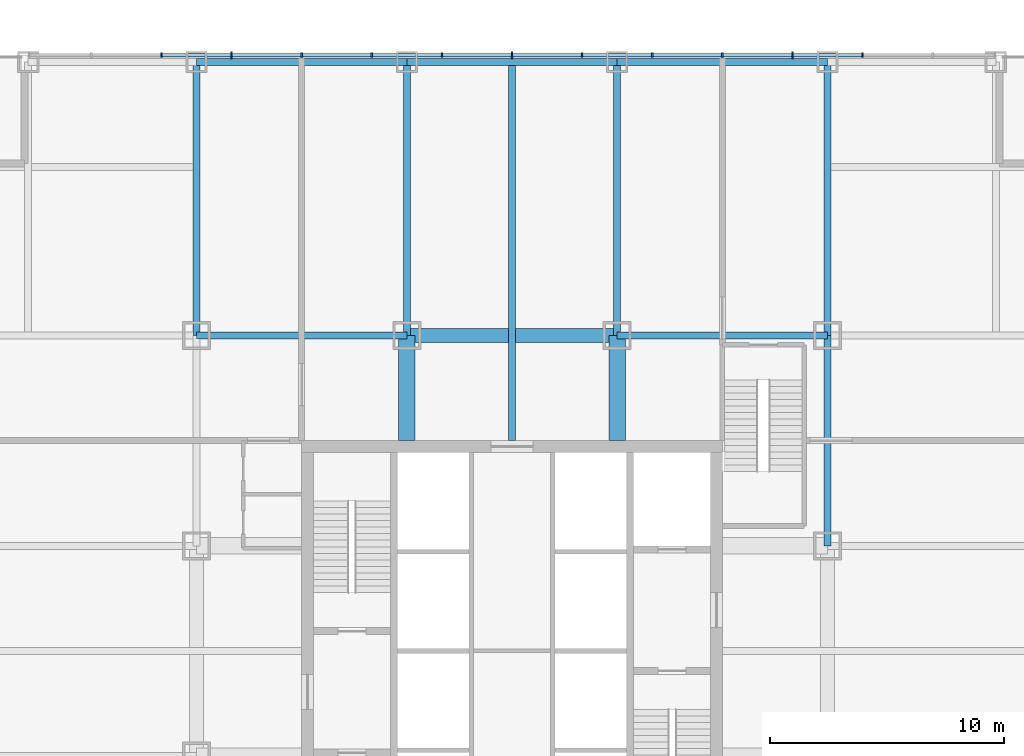
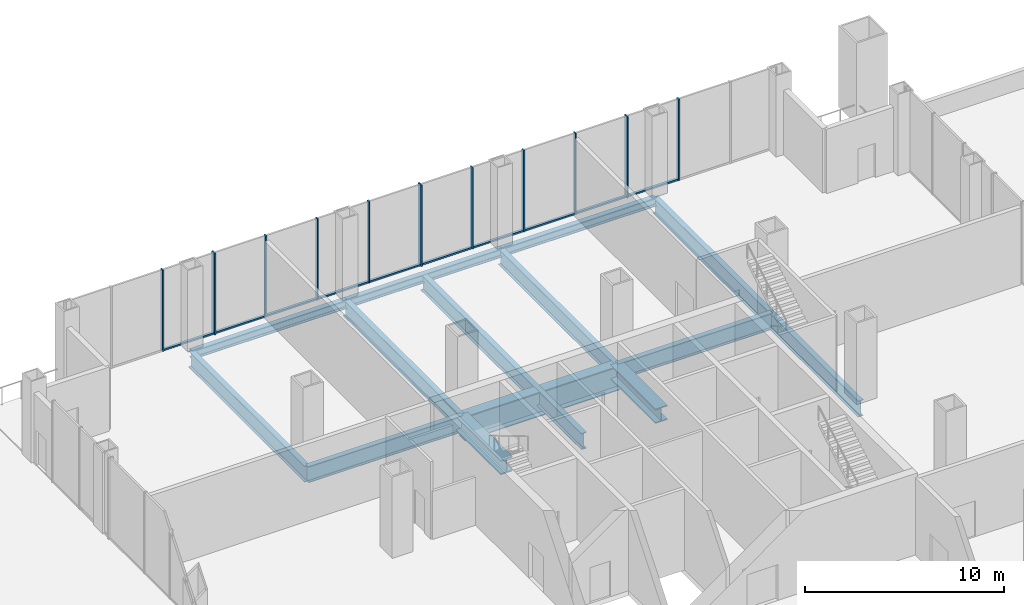
# One storey, part 7 of 16: 21 members, 14 beams, 1 element without a shape of its own.
"""IFC4 building model written with IfcOpenShell, lengths in metres."""

from ifc_helpers import new_model, si_unit, direction, frame, origin, origin_2d, place, context, subcontext, project, spatial, rectangle, i_section, extrude, material, layer, layer_set, material_profile, profile_set, type_object, element, aggregate, save


model = new_model("IFC4")

# Units and contexts
model_context = context("Model", 3, precision=1e-05, world=origin(), true_north=direction((0.0, 1.0)))
body_context = subcontext(model_context, "Body", "Model", "MODEL_VIEW")
ifc_project = project(units=[si_unit("LENGTHUNIT", "METRE"), si_unit("AREAUNIT", "SQUARE_METRE"), si_unit("VOLUMEUNIT", "CUBIC_METRE"), si_unit("PLANEANGLEUNIT", "RADIAN"), si_unit("MASSUNIT", "GRAM", prefix="KILO")], contexts=[model_context])

# Site, building, storey
site_placement = place(None, origin())
site = spatial("IfcSite", under=ifc_project, at=site_placement, CompositionType="ELEMENT")
building_placement = place(site_placement, origin())
building = spatial("IfcBuilding", under=site, at=building_placement, Name="Malebo Sky Hospital", CompositionType="ELEMENT")
storey_placement = place(building_placement, frame((0.0, 0.0, 26.0)))
storey = spatial("IfcBuildingStorey", under=building, at=storey_placement, Name="L05", CompositionType="ELEMENT", Elevation=26.0)

# Curtain wall, members
ifc_material_1 = material(Name="Anodised aluminium, natural silver", Category="aluminium")
ifc_layer = layer(ifc_material_1, 0.25)
ifc_layer_set = layer_set([ifc_layer], Name="PLANT LOUVRE SCREEN")
curtain_wall_type = type_object("IfcCurtainWallType", Name="PLANT LOUVRE SCREEN", PredefinedType="NOTDEFINED", material=ifc_layer_set)
curtain_wall_placement = place(storey_placement, origin())
curtain_wall = element("IfcCurtainWall", 1, at=curtain_wall_placement, inside=storey, type_object=curtain_wall_type, Name="PLANT curtain wall N", PredefinedType="NOTDEFINED")
ifc_material_profile_1 = material_profile(ifc_material_1, rectangle(XDim=0.14990234375, YDim=0.10009765625, at=origin_2d()), Name="ALUMINIUM TRANSOM 150x100")
ifc_profile_set_1 = profile_set([ifc_material_profile_1], Name="Anodised aluminium, natural silver")
member_type_1 = type_object("IfcMemberType", Name="ALUMINIUM TRANSOM 150x100", PredefinedType="USERDEFINED", material=ifc_profile_set_1)
member_1_placement = place(storey_placement, frame((45.03759765625, 87.5, 0.050048828125), z_axis=(1.0, 0.0, 0.0), x_axis=(0.0, 1.0, 0.0)))
member_1 = element("IfcMember", 2, at=member_1_placement, type_object=member_type_1, Name="Transom 3", ObjectType="TRANSOM", PredefinedType="USERDEFINED", context=body_context, shape_type="SweptSolid", body=[
    extrude(rectangle(XDim=0.14990234375, YDim=0.10009765625, at=origin_2d()), origin(), (0.0, 0.0, 1.0), 2.9248046875),
])
member_2_placement = place(storey_placement, frame((48.03759765625, 87.5, 0.050048828125), z_axis=(1.0, 0.0, 0.0), x_axis=(0.0, 1.0, 0.0)))
member_2 = element("IfcMember", 3, at=member_2_placement, type_object=member_type_1, Name="Transom 4", ObjectType="TRANSOM", PredefinedType="USERDEFINED", context=body_context, shape_type="SweptSolid", body=[
    extrude(rectangle(XDim=0.14990234375, YDim=0.10009765625, at=origin_2d()), origin(), (0.0, 0.0, 1.0), 2.9248046875),
])
member_3_placement = place(storey_placement, frame((51.03759765625, 87.5, 0.050048828125), z_axis=(1.0, 0.0, 0.0), x_axis=(0.0, 1.0, 0.0)))
member_3 = element("IfcMember", 4, at=member_3_placement, type_object=member_type_1, Name="Transom 5", ObjectType="TRANSOM", PredefinedType="USERDEFINED", context=body_context, shape_type="SweptSolid", body=[
    extrude(rectangle(XDim=0.14990234375, YDim=0.10009765625, at=origin_2d()), origin(), (0.0, 0.0, 1.0), 2.9248046875),
])
member_4_placement = place(storey_placement, frame((54.03759765625, 87.5, 0.050048828125), z_axis=(1.0, 0.0, 0.0), x_axis=(0.0, 1.0, 0.0)))
member_4 = element("IfcMember", 5, at=member_4_placement, type_object=member_type_1, Name="Transom 6", ObjectType="TRANSOM", PredefinedType="USERDEFINED", context=body_context, shape_type="SweptSolid", body=[
    extrude(rectangle(XDim=0.14990234375, YDim=0.10009765625, at=origin_2d()), origin(), (0.0, 0.0, 1.0), 2.9248046875),
])
member_5_placement = place(storey_placement, frame((57.03759765625, 87.5, 0.050048828125), z_axis=(1.0, 0.0, 0.0), x_axis=(0.0, 1.0, 0.0)))
member_5 = element("IfcMember", 6, at=member_5_placement, type_object=member_type_1, Name="Transom 7", ObjectType="TRANSOM", PredefinedType="USERDEFINED", context=body_context, shape_type="SweptSolid", body=[
    extrude(rectangle(XDim=0.14990234375, YDim=0.10009765625, at=origin_2d()), origin(), (0.0, 0.0, 1.0), 2.9248046875),
])
member_6_placement = place(storey_placement, frame((60.03759765625, 87.5, 0.050048828125), z_axis=(1.0, 0.0, 0.0), x_axis=(0.0, 1.0, 0.0)))
member_6 = element("IfcMember", 7, at=member_6_placement, type_object=member_type_1, Name="Transom 8", ObjectType="TRANSOM", PredefinedType="USERDEFINED", context=body_context, shape_type="SweptSolid", body=[
    extrude(rectangle(XDim=0.14990234375, YDim=0.10009765625, at=origin_2d()), origin(), (0.0, 0.0, 1.0), 2.9248046875),
])
member_7_placement = place(storey_placement, frame((63.03759765625, 87.5, 0.050048828125), z_axis=(1.0, 0.0, 0.0), x_axis=(0.0, 1.0, 0.0)))
member_7 = element("IfcMember", 8, at=member_7_placement, type_object=member_type_1, Name="Transom 9", ObjectType="TRANSOM", PredefinedType="USERDEFINED", context=body_context, shape_type="SweptSolid", body=[
    extrude(rectangle(XDim=0.14990234375, YDim=0.10009765625, at=origin_2d()), origin(), (0.0, 0.0, 1.0), 2.9248046875),
])
member_8_placement = place(storey_placement, frame((66.03759765625, 87.5, 0.050048828125), z_axis=(1.0, 0.0, 0.0), x_axis=(0.0, 1.0, 0.0)))
member_8 = element("IfcMember", 9, at=member_8_placement, type_object=member_type_1, Name="Transom 10", ObjectType="TRANSOM", PredefinedType="USERDEFINED", context=body_context, shape_type="SweptSolid", body=[
    extrude(rectangle(XDim=0.14990234375, YDim=0.10009765625, at=origin_2d()), origin(), (0.0, 0.0, 1.0), 2.9248046875),
])
member_9_placement = place(storey_placement, frame((69.03759765625, 87.5, 0.050048828125), z_axis=(1.0, 0.0, 0.0), x_axis=(0.0, 1.0, 0.0)))
member_9 = element("IfcMember", 10, at=member_9_placement, type_object=member_type_1, Name="Transom 11", ObjectType="TRANSOM", PredefinedType="USERDEFINED", context=body_context, shape_type="SweptSolid", body=[
    extrude(rectangle(XDim=0.14990234375, YDim=0.10009765625, at=origin_2d()), origin(), (0.0, 0.0, 1.0), 2.9248046875),
])
member_10_placement = place(storey_placement, frame((72.03759765625, 87.5, 0.050048828125), z_axis=(1.0, 0.0, 0.0), x_axis=(0.0, 1.0, 0.0)))
member_10 = element("IfcMember", 11, at=member_10_placement, type_object=member_type_1, Name="Transom 12", ObjectType="TRANSOM", PredefinedType="USERDEFINED", context=body_context, shape_type="SweptSolid", body=[
    extrude(rectangle(XDim=0.14990234375, YDim=0.10009765625, at=origin_2d()), origin(), (0.0, 0.0, 1.0), 2.9248046875),
])
ifc_material_profile_2 = material_profile(ifc_material_1, rectangle(XDim=0.074951171875, YDim=0.199951171875, at=origin_2d()), Name="CW5 ALUMINIUM FIN MULLION 75x200")
ifc_profile_set_2 = profile_set([ifc_material_profile_2], Name="Anodised aluminium, natural silver")
member_type_2 = type_object("IfcMemberType", Name="CW5 ALUMINIUM FIN MULLION 75x200", PredefinedType="MULLION", material=ifc_profile_set_2)
member_11_placement = place(storey_placement, frame((45.0, 87.5, 0.0), z_axis=(0.0, 0.0, 1.0), x_axis=(1.0, 0.0, 0.0)))
member_11 = element("IfcMember", 12, at=member_11_placement, type_object=member_type_2, Name="Fin mullion 3", PredefinedType="MULLION", context=body_context, shape_type="SweptSolid", body=[
    extrude(rectangle(XDim=0.074951171875, YDim=0.199951171875, at=origin_2d()), origin(), (0.0, 0.0, 1.0), 5.0),
])
member_12_placement = place(storey_placement, frame((51.0, 87.5, 0.0), z_axis=(0.0, 0.0, 1.0), x_axis=(1.0, 0.0, 0.0)))
member_12 = element("IfcMember", 13, at=member_12_placement, type_object=member_type_2, Name="Fin mullion 5", PredefinedType="MULLION", context=body_context, shape_type="SweptSolid", body=[
    extrude(rectangle(XDim=0.074951171875, YDim=0.199951171875, at=origin_2d()), origin(), (0.0, 0.0, 1.0), 5.0),
])
member_13_placement = place(storey_placement, frame((54.0, 87.5, 0.0), z_axis=(0.0, 0.0, 1.0), x_axis=(1.0, 0.0, 0.0)))
member_13 = element("IfcMember", 14, at=member_13_placement, type_object=member_type_2, Name="Fin mullion 6", PredefinedType="MULLION", context=body_context, shape_type="SweptSolid", body=[
    extrude(rectangle(XDim=0.074951171875, YDim=0.199951171875, at=origin_2d()), origin(), (0.0, 0.0, 1.0), 5.0),
])
member_14_placement = place(storey_placement, frame((57.0, 87.5, 0.0), z_axis=(0.0, 0.0, 1.0), x_axis=(1.0, 0.0, 0.0)))
member_14 = element("IfcMember", 15, at=member_14_placement, type_object=member_type_2, Name="Fin mullion 7", PredefinedType="MULLION", context=body_context, shape_type="SweptSolid", body=[
    extrude(rectangle(XDim=0.074951171875, YDim=0.199951171875, at=origin_2d()), origin(), (0.0, 0.0, 1.0), 5.0),
])
member_15_placement = place(storey_placement, frame((63.0, 87.5, 0.0), z_axis=(0.0, 0.0, 1.0), x_axis=(1.0, 0.0, 0.0)))
member_15 = element("IfcMember", 16, at=member_15_placement, type_object=member_type_2, Name="Fin mullion 9", PredefinedType="MULLION", context=body_context, shape_type="SweptSolid", body=[
    extrude(rectangle(XDim=0.074951171875, YDim=0.199951171875, at=origin_2d()), origin(), (0.0, 0.0, 1.0), 5.0),
])
member_16_placement = place(storey_placement, frame((66.0, 87.5, 0.0), z_axis=(0.0, 0.0, 1.0), x_axis=(1.0, 0.0, 0.0)))
member_16 = element("IfcMember", 17, at=member_16_placement, type_object=member_type_2, Name="Fin mullion 10", PredefinedType="MULLION", context=body_context, shape_type="SweptSolid", body=[
    extrude(rectangle(XDim=0.074951171875, YDim=0.199951171875, at=origin_2d()), origin(), (0.0, 0.0, 1.0), 5.0),
])
member_17_placement = place(storey_placement, frame((69.0, 87.5, 0.0), z_axis=(0.0, 0.0, 1.0), x_axis=(1.0, 0.0, 0.0)))
member_17 = element("IfcMember", 18, at=member_17_placement, type_object=member_type_2, Name="Fin mullion 11", PredefinedType="MULLION", context=body_context, shape_type="SweptSolid", body=[
    extrude(rectangle(XDim=0.074951171875, YDim=0.199951171875, at=origin_2d()), origin(), (0.0, 0.0, 1.0), 5.0),
])
member_18_placement = place(storey_placement, frame((75.0, 87.5, 0.0), z_axis=(0.0, 0.0, 1.0), x_axis=(1.0, 0.0, 0.0)))
member_18 = element("IfcMember", 19, at=member_18_placement, type_object=member_type_2, Name="Fin mullion 13", PredefinedType="MULLION", context=body_context, shape_type="SweptSolid", body=[
    extrude(rectangle(XDim=0.074951171875, YDim=0.199951171875, at=origin_2d()), origin(), (0.0, 0.0, 1.0), 5.0),
])
ifc_material_profile_3 = material_profile(ifc_material_1, rectangle(XDim=0.074951171875, YDim=0.300048828125, at=origin_2d()), Name="CW5 ALUMINIUM FIN MULLION 75x300")
ifc_profile_set_3 = profile_set([ifc_material_profile_3], Name="Anodised aluminium, natural silver")
member_type_3 = type_object("IfcMemberType", Name="CW5 ALUMINIUM FIN MULLION 75x300", PredefinedType="MULLION", material=ifc_profile_set_3)
member_19_placement = place(storey_placement, frame((48.0, 87.5, 0.0), z_axis=(0.0, 0.0, 1.0), x_axis=(1.0, 0.0, 0.0)))
member_19 = element("IfcMember", 20, at=member_19_placement, type_object=member_type_3, Name="Fin mullion 4", PredefinedType="MULLION", context=body_context, shape_type="SweptSolid", body=[
    extrude(rectangle(XDim=0.074951171875, YDim=0.300048828125, at=origin_2d()), origin(), (0.0, 0.0, 1.0), 5.0),
])
member_20_placement = place(storey_placement, frame((60.0, 87.5, 0.0), z_axis=(0.0, 0.0, 1.0), x_axis=(1.0, 0.0, 0.0)))
member_20 = element("IfcMember", 21, at=member_20_placement, type_object=member_type_3, Name="Fin mullion 8", PredefinedType="MULLION", context=body_context, shape_type="SweptSolid", body=[
    extrude(rectangle(XDim=0.074951171875, YDim=0.300048828125, at=origin_2d()), origin(), (0.0, 0.0, 1.0), 5.0),
])
member_21_placement = place(storey_placement, frame((72.0, 87.5, 0.0), z_axis=(0.0, 0.0, 1.0), x_axis=(1.0, 0.0, 0.0)))
member_21 = element("IfcMember", 22, at=member_21_placement, type_object=member_type_3, Name="Fin mullion 12", PredefinedType="MULLION", context=body_context, shape_type="SweptSolid", body=[
    extrude(rectangle(XDim=0.074951171875, YDim=0.300048828125, at=origin_2d()), origin(), (0.0, 0.0, 1.0), 5.0),
])
aggregate(curtain_wall, [member_11, member_19, member_12, member_13, member_14, member_20, member_15, member_16, member_17, member_21, member_18, member_1, member_2, member_3, member_4, member_5, member_6, member_7, member_8, member_9, member_10])

# Beams
ifc_material_2 = material(Name="Steel S355", Category="steel")
ifc_material_profile_4 = material_profile(ifc_material_2, i_section(OverallWidth=0.305908203125, OverallDepth=0.52392578125, WebThickness=0.02099609375, FlangeThickness=0.0400390625, FilletRadius=0.027099609375, at=origin_2d()), Name="HEM 500")
ifc_profile_set_4 = profile_set([ifc_material_profile_4], Name="Steel S355")
beam_type_1 = type_object("IfcBeamType", Name="EDGE BEAM HEM 500", PredefinedType="BEAM", material=ifc_profile_set_4)
for number, where, z_axis, x_axis, name in (
    (23, (46.5, 87.199951171875, -0.56201171875), (1.0, 0.0, 0.0), (0.0, 1.0, 0.0), "Beam 064 L05"),
    (24, (55.5, 87.199951171875, -0.56201171875), (1.0, 0.0, 0.0), (0.0, 1.0, 0.0), "Beam 065 L05"),
    (25, (64.5, 87.199951171875, -0.56201171875), (1.0, 0.0, 0.0), (0.0, 1.0, 0.0), "Beam 066 L05"),
):
    element("IfcBeam", number, at=place(storey_placement, frame(where, z_axis=z_axis, x_axis=x_axis)), inside=storey, type_object=beam_type_1, Name=name, PredefinedType="BEAM", context=body_context, shape_type="SweptSolid", body=[
        extrude(i_section(OverallWidth=0.305908203125, OverallDepth=0.52392578125, WebThickness=0.02099609375, FlangeThickness=0.0400390625, FilletRadius=0.027099609375, at=origin_2d()), origin(), (0.0, 0.0, 1.0), 9.0),
    ])
ifc_material_profile_5 = material_profile(ifc_material_2, i_section(OverallWidth=0.300048828125, OverallDepth=1.0, WebThickness=0.01904296875, FlangeThickness=0.035888671875, FilletRadius=0.030029296875, at=origin_2d()), Name="HEB 1000")
ifc_profile_set_5 = profile_set([ifc_material_profile_5], Name="Steel S355")
beam_type_2 = type_object("IfcBeamType", Name="FLOOR BEAM HEB 1000", PredefinedType="BEAM", material=ifc_profile_set_5)
beam_1_placement = place(storey_placement, frame((55.5, 75.5, -0.800048828125), z_axis=(0.0, 1.0, 0.0), x_axis=(-1.0, 0.0, 0.0)))
element("IfcBeam", 26, at=beam_1_placement, inside=storey, type_object=beam_type_2, Name="Beam 015 L05", PredefinedType="BEAM", context=body_context, shape_type="SweptSolid", body=[
    extrude(i_section(OverallWidth=0.300048828125, OverallDepth=1.0, WebThickness=0.01904296875, FlangeThickness=0.035888671875, FilletRadius=0.030029296875, at=origin_2d()), origin(), (0.0, 0.0, 1.0), 11.699951171875),
])
beam_2_placement = place(storey_placement, frame((60.0, 71.0, -0.800048828125), z_axis=(0.0, 1.0, 0.0), x_axis=(-1.0, 0.0, 0.0)))
element("IfcBeam", 27, at=beam_2_placement, inside=storey, type_object=beam_type_2, Name="Beam 017 L05", PredefinedType="BEAM", context=body_context, shape_type="SweptSolid", body=[
    extrude(i_section(OverallWidth=0.300048828125, OverallDepth=1.0, WebThickness=0.01904296875, FlangeThickness=0.035888671875, FilletRadius=0.030029296875, at=origin_2d()), origin(), (0.0, 0.0, 1.0), 16.199951171875),
])
beam_3_placement = place(storey_placement, frame((64.5, 75.5, -0.800048828125), z_axis=(0.0, 1.0, 0.0), x_axis=(-1.0, 0.0, 0.0)))
element("IfcBeam", 28, at=beam_3_placement, inside=storey, type_object=beam_type_2, Name="Beam 021 L05", PredefinedType="BEAM", context=body_context, shape_type="SweptSolid", body=[
    extrude(i_section(OverallWidth=0.300048828125, OverallDepth=1.0, WebThickness=0.01904296875, FlangeThickness=0.035888671875, FilletRadius=0.030029296875, at=origin_2d()), origin(), (0.0, 0.0, 1.0), 11.699951171875),
])
for number, where, z_axis, x_axis, name in (
    (29, (73.5, 66.5, -0.800048828125), (0.0, 1.0, 0.0), (-1.0, 0.0, 0.0), "Beam 025 L05"),
    (30, (46.5, 75.5, -0.800048828125), (1.0, 0.0, 0.0), (0.0, 1.0, 0.0), "Beam 057 L05"),
    (31, (64.5, 75.5, -0.800048828125), (1.0, 0.0, 0.0), (0.0, 1.0, 0.0), "Beam 059 L05"),
):
    element("IfcBeam", number, at=place(storey_placement, frame(where, z_axis=z_axis, x_axis=x_axis)), inside=storey, type_object=beam_type_2, Name=name, PredefinedType="BEAM", context=body_context, shape_type="SweptSolid", body=[
        extrude(i_section(OverallWidth=0.300048828125, OverallDepth=1.0, WebThickness=0.01904296875, FlangeThickness=0.035888671875, FilletRadius=0.030029296875, at=origin_2d()), origin(), (0.0, 0.0, 1.0), 9.0),
    ])
ifc_material_profile_6 = material_profile(ifc_material_2, i_section(OverallWidth=0.699951171875, OverallDepth=0.89990234375, WebThickness=0.0400390625, FlangeThickness=0.070068359375, at=origin_2d()), Name="PG 900x700x40x70")
ifc_profile_set_6 = profile_set([ifc_material_profile_6], Name="Steel S355")
beam_type_3 = type_object("IfcBeamType", Name="FLOOR BEAM PG 900x700x40x70", PredefinedType="BEAM", material=ifc_profile_set_6)
for number, where, z_axis, x_axis, name in (
    (32, (55.5, 71.0, -0.75), (0.0, 1.0, 0.0), (-1.0, 0.0, 0.0), "Beam 014 L05"),
    (33, (64.5, 71.0, -0.75), (0.0, 1.0, 0.0), (-1.0, 0.0, 0.0), "Beam 020 L05"),
):
    element("IfcBeam", number, at=place(storey_placement, frame(where, z_axis=z_axis, x_axis=x_axis)), inside=storey, type_object=beam_type_3, Name=name, PredefinedType="BEAM", context=body_context, shape_type="SweptSolid", body=[
        extrude(i_section(OverallWidth=0.699951171875, OverallDepth=0.89990234375, WebThickness=0.0400390625, FlangeThickness=0.070068359375, at=origin_2d()), origin(), (0.0, 0.0, 1.0), 4.5),
    ])
ifc_material_profile_7 = material_profile(ifc_material_2, i_section(OverallWidth=0.300048828125, OverallDepth=1.0, WebThickness=0.01904296875, FlangeThickness=0.035888671875, FilletRadius=0.030029296875, at=origin_2d()), Name="HEB 1000")
ifc_profile_set_7 = profile_set([ifc_material_profile_7], Name="Steel S355")
beam_type_4 = type_object("IfcBeamType", Name="FLOOR GIRDER HEB 1000", PredefinedType="BEAM", material=ifc_profile_set_7)
for number, where, z_axis, x_axis, name in (
    (34, (46.5, 75.5, -0.800048828125), (0.0, 1.0, 0.0), (-1.0, 0.0, 0.0), "Beam 011 L05"),
    (35, (73.5, 75.5, -0.800048828125), (0.0, 1.0, 0.0), (-1.0, 0.0, 0.0), "Beam 026 L05"),
):
    element("IfcBeam", number, at=place(storey_placement, frame(where, z_axis=z_axis, x_axis=x_axis)), inside=storey, type_object=beam_type_4, Name=name, PredefinedType="BEAM", context=body_context, shape_type="SweptSolid", body=[
        extrude(i_section(OverallWidth=0.300048828125, OverallDepth=1.0, WebThickness=0.01904296875, FlangeThickness=0.035888671875, FilletRadius=0.030029296875, at=origin_2d()), origin(), (0.0, 0.0, 1.0), 11.699951171875),
    ])
ifc_material_profile_8 = material_profile(ifc_material_2, i_section(OverallWidth=0.60009765625, OverallDepth=1.5, WebThickness=0.030029296875, FlangeThickness=0.06005859375, at=origin_2d()), Name="PG 1500x600x30x60")
ifc_profile_set_8 = profile_set([ifc_material_profile_8], Name="Steel S355")
beam_type_5 = type_object("IfcBeamType", Name="RING GIRDER PG 1500x600x30x60", PredefinedType="BEAM", material=ifc_profile_set_8)
beam_4_placement = place(storey_placement, frame((55.5, 75.5, -1.050048828125), z_axis=(1.0, 0.0, 0.0), x_axis=(0.0, 1.0, 0.0)))
element("IfcBeam", 36, at=beam_4_placement, inside=storey, type_object=beam_type_5, Name="Beam 058 L05", PredefinedType="BEAM", context=body_context, shape_type="SweptSolid", body=[
    extrude(i_section(OverallWidth=0.60009765625, OverallDepth=1.5, WebThickness=0.030029296875, FlangeThickness=0.06005859375, at=origin_2d()), origin(), (0.0, 0.0, 1.0), 9.0),
])

save(model, "model.ifc")
